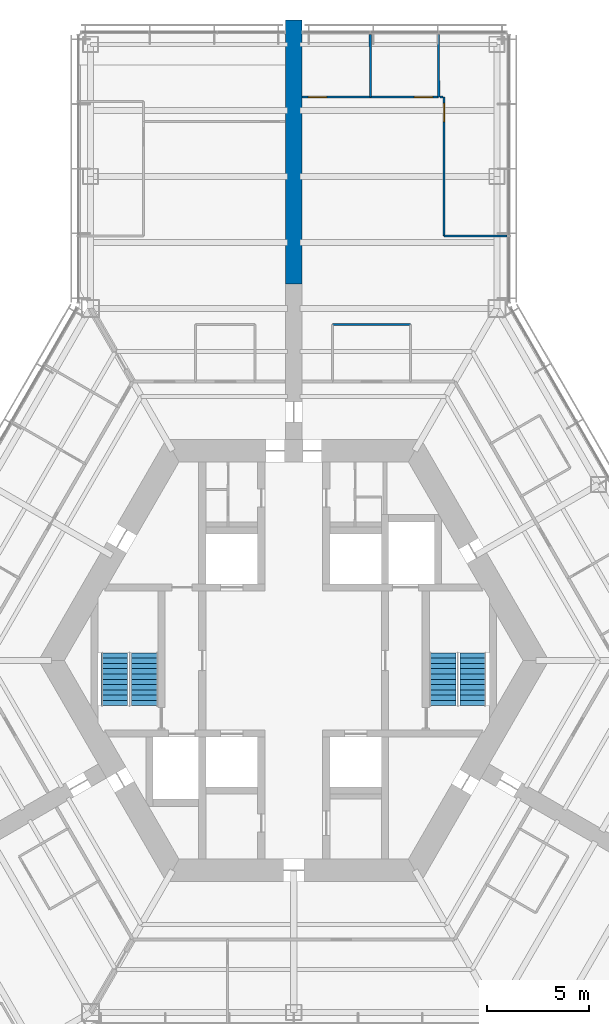
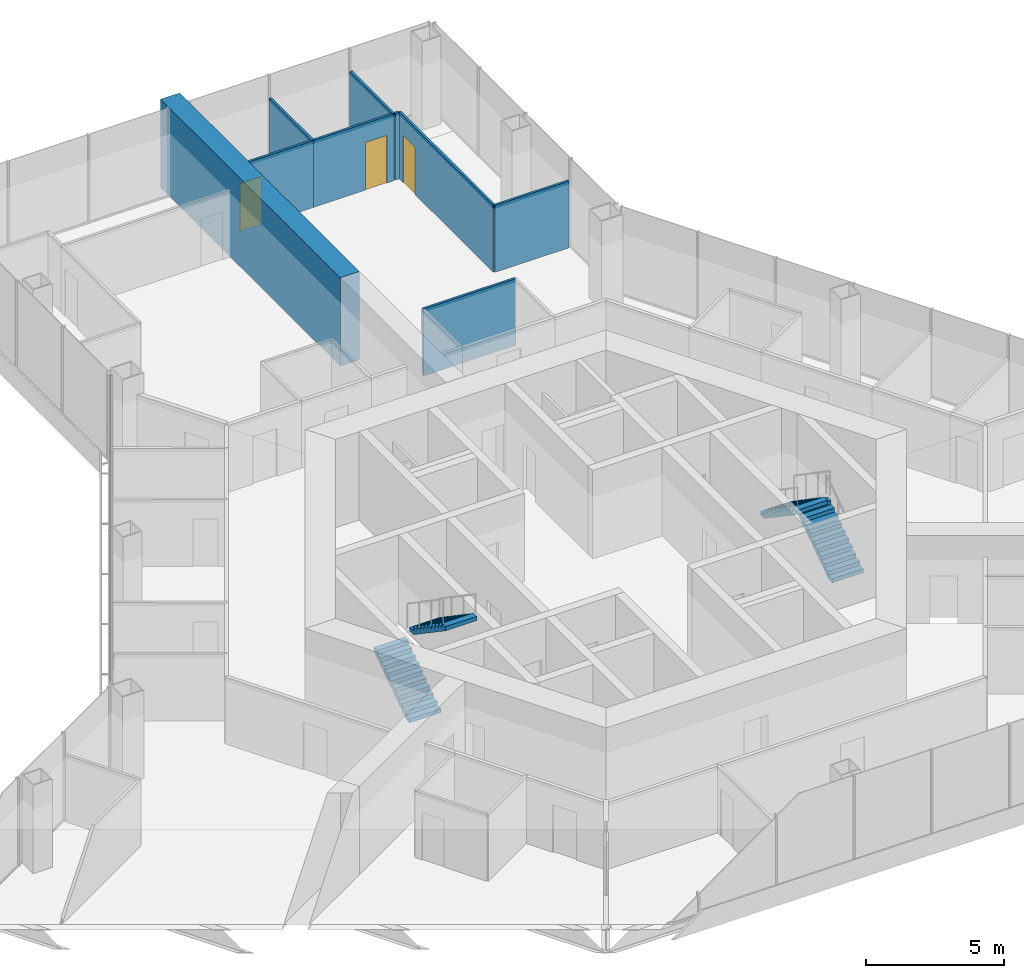
# One storey, part 16 of 19: 9 walls, 4 stair flights, 3 doors, 3 openings, 2 elements without a shape of their own.
"""IFC4 building model written with IfcOpenShell, lengths in metres."""

from ifc_helpers import new_model, si_unit, direction, frame, frame_2d, origin, place, context, subcontext, project, spatial, polyline, rectangle, outline, extrude, material, layer, layer_set, type_object, element, fill, aggregate, save


model = new_model("IFC4")

# Units and contexts
model_context = context("Model", 3, precision=1e-05, world=origin(), true_north=direction((0.0, 1.0)))
body_context = subcontext(model_context, "Body", "Model", "MODEL_VIEW")
ifc_project = project(units=[si_unit("LENGTHUNIT", "METRE"), si_unit("AREAUNIT", "SQUARE_METRE"), si_unit("VOLUMEUNIT", "CUBIC_METRE"), si_unit("PLANEANGLEUNIT", "RADIAN"), si_unit("MASSUNIT", "GRAM", prefix="KILO")], contexts=[model_context])

# Site, building, storey
site_placement = place(None, origin())
site = spatial("IfcSite", under=ifc_project, at=site_placement, CompositionType="ELEMENT")
building_placement = place(site_placement, origin())
building = spatial("IfcBuilding", under=site, at=building_placement, Name="Kasaneha Research Tower", CompositionType="ELEMENT")
storey_placement = place(building_placement, frame((0.0, 0.0, 100.199951171875)))
storey = spatial("IfcBuildingStorey", under=building, at=storey_placement, Name="L25", CompositionType="ELEMENT", Elevation=100.199951171875)

# Walls
ifc_material_1 = material(Name="Gypsum board on steel studs, one layer each side", Category="steel")
ifc_layer_1 = layer(ifc_material_1, 0.10009765625)
ifc_layer_set_1 = layer_set([ifc_layer_1], Name="Office partition 100")
wall_type_1 = type_object("IfcWallType", Name="Office partition 100", PredefinedType="PARTITIONING", material=ifc_layer_set_1)
wall_1_placement = place(storey_placement, frame((1.89990234375, 16.52490234375, 0.0), z_axis=(0.0, 0.0, 1.0), x_axis=(1.0, 0.0, 0.0)))
element("IfcWall", 1, at=wall_1_placement, inside=storey, type_object=wall_type_1, Name="Office partition FAE09 L25", PredefinedType="PARTITIONING", context=body_context, shape_type="SweptSolid", body=[
    extrude(rectangle(XDim=3.857177734375, YDim=0.10009765625, at=frame_2d((1.9287109375, 0.0))), origin(), (0.0, 0.0, 1.0), 2.949951171875),
])
wall_2_placement = place(storey_placement, frame((7.13818359375, 27.719970703125, 0.0), z_axis=(0.0, 0.0, 1.0), x_axis=(-0.001426532072, 0.999998982503, 0.0)))
element("IfcWall", 2, at=wall_2_placement, inside=storey, type_object=wall_type_1, Name="Office partition FAE15 L25", PredefinedType="PARTITIONING", context=body_context, shape_type="SweptSolid", body=[
    extrude(rectangle(XDim=3.08056640625, YDim=0.10009765625, at=frame_2d((1.540283203125, 0.0))), origin(), (0.0, 0.0, 1.0), 2.949951171875),
])

# Wall, opening, door
wall_3_placement = place(storey_placement, frame((7.39990234375, 20.89111328125, 0.0), z_axis=(0.0, 0.0, 1.0), x_axis=(-0.00014301548, 0.999999989773, 0.0)))
wall_3 = element("IfcWall", 3, at=wall_3_placement, inside=storey, type_object=wall_type_1, Name="Office partition FAE16 L25", PredefinedType="PARTITIONING", context=body_context, shape_type="SweptSolid", body=[
    extrude(rectangle(XDim=6.828369140625, YDim=0.10009765625, at=frame_2d((3.4140625, 0.0))), origin(), (0.0, 0.0, 1.0), 2.949951171875),
])
opening_1_placement = place(wall_3_placement, frame((5.62841796875, 0.0, 0.0)))
opening_1 = element("IfcOpeningElement", 4, at=opening_1_placement, cuts=wall_3, Name="Opening L25-D31", PredefinedType="OPENING", context=body_context, shape_type="SweptSolid", body=[
    extrude(rectangle(XDim=0.89990234375, YDim=2.10009765625, at=frame_2d((0.449951171875, 1.050048828125))), frame((0.0, 0.06005859375, 0.0), z_axis=(0.0, -1.0, 0.0), x_axis=(1.0, 0.0, 0.0)), (0.0, 0.0, 1.0), 0.1201171875),
])
ifc_material_2 = material(Name="Timber veneer", Category="wood")
door_type = type_object("IfcDoorType", Name="Office door 900x2100", OperationType="SINGLE_SWING_LEFT", PredefinedType="DOOR", material=ifc_material_2)
door_1_placement = place(opening_1_placement, origin())
door_1 = element("IfcDoor", 5, at=door_1_placement, inside=storey, type_object=door_type, Name="Manager's office door L25-D31", OperationType="SINGLE_SWING_RIGHT", OverallHeight=2.10009765625, OverallWidth=0.89990234375, PredefinedType="DOOR", context=body_context, shape_type="SweptSolid", body=[
    extrude(rectangle(XDim=0.89990234375, YDim=2.10009765625, at=frame_2d((0.449951171875, 1.050048828125))), frame((0.0, 0.02490234375, 0.0), z_axis=(0.0, -1.0, 0.0), x_axis=(1.0, 0.0, 0.0)), (0.0, 0.0, 1.0), 0.050048828125),
])
fill(opening_1, door_1)

# Walls
wall_4_placement = place(storey_placement, frame((10.5, 20.89111328125, 0.0), z_axis=(0.0, 0.0, 1.0), x_axis=(-1.0, 0.0, 0.0)))
element("IfcWall", 6, at=wall_4_placement, inside=storey, type_object=wall_type_1, Name="Office partition FAE17 L25", PredefinedType="PARTITIONING", context=body_context, shape_type="SweptSolid", body=[
    extrude(rectangle(XDim=3.10009765625, YDim=0.10009765625, at=frame_2d((1.550048828125, 0.0))), origin(), (0.0, 0.0, 1.0), 2.949951171875),
])
wall_5_placement = place(storey_placement, frame((3.771728515625, 27.720458984375, 0.0), z_axis=(0.0, 0.0, 1.0), x_axis=(-0.001664550643, 0.999998614635, 0.0)))
element("IfcWall", 7, at=wall_5_placement, inside=storey, type_object=wall_type_1, Name="Office partition FAE18 L25", PredefinedType="PARTITIONING", context=body_context, shape_type="SweptSolid", body=[
    extrude(rectangle(XDim=3.080078125, YDim=0.10009765625, at=frame_2d((1.5400390625, 0.0))), origin(), (0.0, 0.0, 1.0), 2.949951171875),
])

# Wall, opening, door
wall_6_placement = place(storey_placement, frame((7.13330078125, 27.724609375, 0.0), z_axis=(0.0, 0.0, 1.0), x_axis=(-0.999999997371, 7.2516316e-05, 0.0)))
wall_6 = element("IfcWall", 8, at=wall_6_placement, inside=storey, type_object=wall_type_1, Name="Office partition FAE19 L25", PredefinedType="PARTITIONING", context=body_context, shape_type="SweptSolid", body=[
    extrude(rectangle(XDim=3.36669921875, YDim=0.10009765625, at=frame_2d((1.683349609375, 0.0))), origin(), (0.0, 0.0, 1.0), 2.949951171875),
])
opening_2_placement = place(wall_6_placement, frame((0.300048828125, 0.0, 0.0)))
opening_2 = element("IfcOpeningElement", 9, at=opening_2_placement, cuts=wall_6, Name="Opening L25-D32", PredefinedType="OPENING", context=body_context, shape_type="SweptSolid", body=[
    extrude(rectangle(XDim=0.89990234375, YDim=2.10009765625, at=frame_2d((0.449951171875, 1.050048828125))), frame((0.0, 0.06005859375, 0.0), z_axis=(0.0, -1.0, 0.0), x_axis=(1.0, 0.0, 0.0)), (0.0, 0.0, 1.0), 0.1201171875),
])
door_2_placement = place(opening_2_placement, origin())
door_2 = element("IfcDoor", 10, at=door_2_placement, inside=storey, type_object=door_type, Name="Manager's office door L25-D32", OperationType="SINGLE_SWING_LEFT", OverallHeight=2.10009765625, OverallWidth=0.89990234375, PredefinedType="DOOR", context=body_context, shape_type="SweptSolid", body=[
    extrude(rectangle(XDim=0.89990234375, YDim=2.10009765625, at=frame_2d((0.449951171875, 1.050048828125))), frame((0.0, 0.02490234375, 0.0), z_axis=(0.0, -1.0, 0.0), x_axis=(1.0, 0.0, 0.0)), (0.0, 0.0, 1.0), 0.050048828125),
])
fill(opening_2, door_2)

wall_7_placement = place(storey_placement, frame((3.7666015625, 27.724853515625, 0.0), z_axis=(0.0, 0.0, 1.0), x_axis=(-0.999999137883, -0.001313100706, 0.0)))
wall_7 = element("IfcWall", 11, at=wall_7_placement, inside=storey, type_object=wall_type_1, Name="Office partition FAE20 L25", PredefinedType="PARTITIONING", context=body_context, shape_type="SweptSolid", body=[
    extrude(rectangle(XDim=3.3466796875, YDim=0.10009765625, at=frame_2d((1.67333984375, 0.0))), origin(), (0.0, 0.0, 1.0), 2.949951171875),
])
opening_3_placement = place(wall_7_placement, frame((2.146728515625, 0.0, 0.0)))
opening_3 = element("IfcOpeningElement", 12, at=opening_3_placement, cuts=wall_7, Name="Opening L25-D33", PredefinedType="OPENING", context=body_context, shape_type="SweptSolid", body=[
    extrude(rectangle(XDim=0.89990234375, YDim=2.10009765625, at=frame_2d((0.449951171875, 1.050048828125))), frame((0.0, 0.06005859375, 0.0), z_axis=(0.0, -1.0, 0.0), x_axis=(1.0, 0.0, 0.0)), (0.0, 0.0, 1.0), 0.1201171875),
])
door_3_placement = place(opening_3_placement, origin())
door_3 = element("IfcDoor", 13, at=door_3_placement, inside=storey, type_object=door_type, Name="Manager's office door L25-D33", OperationType="SINGLE_SWING_RIGHT", OverallHeight=2.10009765625, OverallWidth=0.89990234375, PredefinedType="DOOR", context=body_context, shape_type="SweptSolid", body=[
    extrude(rectangle(XDim=0.89990234375, YDim=2.10009765625, at=frame_2d((0.449951171875, 1.050048828125))), frame((0.0, 0.02490234375, 0.0), z_axis=(0.0, -1.0, 0.0), x_axis=(1.0, 0.0, 0.0)), (0.0, 0.0, 1.0), 0.050048828125),
])
fill(opening_3, door_3)

# Walls
wall_8_placement = place(storey_placement, frame((7.34912109375, 27.7197265625, 0.0), z_axis=(0.0, 0.0, 1.0), x_axis=(-0.999998848674, 0.001517448936, 0.0)))
element("IfcWall", 14, at=wall_8_placement, inside=storey, type_object=wall_type_1, Name="Office partition closer PT5 L25", PredefinedType="PARTITIONING", context=body_context, shape_type="SweptSolid", body=[
    extrude(rectangle(XDim=0.160888671875, YDim=0.10009765625, at=frame_2d((0.08056640625, 0.0))), origin(), (0.0, 0.0, 1.0), 2.949951171875),
])
ifc_material_3 = material(Name="Concrete Fc80", Category="concrete")
ifc_layer_2 = layer(ifc_material_3, 0.800048828125)
ifc_layer_set_2 = layer_set([ifc_layer_2], Name="Spine wall 800 Fc80")
wall_type_2 = type_object("IfcWallType", Name="Spine wall 800 Fc80", PredefinedType="SHEAR", material=ifc_layer_set_2)
wall_9_placement = place(storey_placement, frame((0.0, 18.5205078125, 0.0), z_axis=(0.0, 0.0, 1.0), x_axis=(0.0, 1.0, 0.0)))
element("IfcWall", 15, at=wall_9_placement, inside=storey, type_object=wall_type_2, Name="Spine wall A wing L25", PredefinedType="SHEAR", context=body_context, shape_type="SweptSolid", body=[
    extrude(rectangle(XDim=13.0, YDim=0.800048828125, at=frame_2d((6.5, 0.0))), origin(), (0.0, 0.0, 1.0), 3.900146484375),
])

# Stair, stair flights
ifc_material_4 = material(Name="Concrete Fc24", Category="concrete")
stair_type = type_object("IfcStairType", Name="Half-turn stair 22 risers", PredefinedType="HALF_TURN_STAIR", material=ifc_material_4)
stair_1_placement = place(storey_placement, origin())
stair_1 = element("IfcStair", 16, at=stair_1_placement, inside=storey, type_object=stair_type, Name="Stair 1 L25", PredefinedType="HALF_TURN_STAIR")
ifc_material_5 = material(Name="Concrete Fc24", Category="concrete")
stair_flight_type = type_object("IfcStairFlightType", Name="Stair flight 11 risers 177.3", PredefinedType="STRAIGHT", material=ifc_material_5)
stair_flight_1_placement = place(storey_placement, frame((8.824951171875, -2.22509765625, 0.0), z_axis=(0.0, 0.0, 1.0), x_axis=(0.0, 1.0, 0.0)))
stair_flight_1 = element("IfcStairFlight", 17, at=stair_flight_1_placement, type_object=stair_flight_type, Name="ST1-22R flight 1", NumberOfRisers=11, NumberOfTreads=10, PredefinedType="STRAIGHT", RiserHeight=0.177272727, TreadLength=0.26, context=body_context, shape_type="SweptSolid", body=[
    extrude(outline(polyline([(0.0, 0.0), (0.0, 0.17724609375), (0.260009765625, 0.17724609375), (0.260009765625, 0.3544921875), (0.52001953125, 0.3544921875), (0.52001953125, 0.53173828125), (0.780029296875, 0.53173828125), (0.780029296875, 0.708984375), (1.0400390625, 0.708984375), (1.0400390625, 0.886474609375), (1.300048828125, 0.886474609375), (1.300048828125, 1.063720703125), (1.56005859375, 1.063720703125), (1.56005859375, 1.240966796875), (1.820068359375, 1.240966796875), (1.820068359375, 1.418212890625), (2.080078125, 1.418212890625), (2.080078125, 1.595458984375), (2.340087890625, 1.595458984375), (2.340087890625, 1.772705078125), (2.60009765625, 1.772705078125), (2.60009765625, 1.949951171875), (2.60009765625, 1.59130859375), (0.26611328125, 0.0), (0.0, 0.0)])), frame((0.0, 0.64990234375, 0.0), z_axis=(0.0, -1.0, 0.0), x_axis=(1.0, 0.0, 0.0)), (0.0, 0.0, 1.0), 1.300048828125),
])
stair_flight_2_placement = place(storey_placement, frame((7.324951171875, 0.375, 1.949951171875), z_axis=(0.0, 0.0, 1.0), x_axis=(0.0, -1.0, 0.0)))
stair_flight_2 = element("IfcStairFlight", 18, at=stair_flight_2_placement, type_object=stair_flight_type, Name="ST1-22R flight 2", NumberOfRisers=11, NumberOfTreads=10, PredefinedType="STRAIGHT", RiserHeight=0.177272727, TreadLength=0.26, context=body_context, shape_type="SweptSolid", body=[
    extrude(outline(polyline([(0.0, 0.0), (0.0, 0.17724609375), (0.260009765625, 0.17724609375), (0.260009765625, 0.3544921875), (0.52001953125, 0.3544921875), (0.52001953125, 0.53173828125), (0.780029296875, 0.53173828125), (0.780029296875, 0.708984375), (1.0400390625, 0.708984375), (1.0400390625, 0.886474609375), (1.300048828125, 0.886474609375), (1.300048828125, 1.063720703125), (1.56005859375, 1.063720703125), (1.56005859375, 1.240966796875), (1.820068359375, 1.240966796875), (1.820068359375, 1.418212890625), (2.080078125, 1.418212890625), (2.080078125, 1.595458984375), (2.340087890625, 1.595458984375), (2.340087890625, 1.772705078125), (2.60009765625, 1.772705078125), (2.60009765625, 1.949951171875), (2.60009765625, 1.59130859375), (0.26611328125, 0.0), (0.0, 0.0)])), frame((0.0, 0.64990234375, 0.0), z_axis=(0.0, -1.0, 0.0), x_axis=(1.0, 0.0, 0.0)), (0.0, 0.0, 1.0), 1.300048828125),
])
aggregate(stair_1, [stair_flight_1, stair_flight_2])

stair_2_placement = place(storey_placement, origin())
stair_2 = element("IfcStair", 19, at=stair_2_placement, inside=storey, type_object=stair_type, Name="Stair 2 L25", PredefinedType="HALF_TURN_STAIR")
stair_flight_3_placement = place(storey_placement, frame((-8.824951171875, -2.22509765625, 0.0), z_axis=(0.0, 0.0, 1.0), x_axis=(0.0, 1.0, 0.0)))
stair_flight_3 = element("IfcStairFlight", 20, at=stair_flight_3_placement, type_object=stair_flight_type, Name="ST2-22R flight 1", NumberOfRisers=11, NumberOfTreads=10, PredefinedType="STRAIGHT", RiserHeight=0.177272727, TreadLength=0.26, context=body_context, shape_type="SweptSolid", body=[
    extrude(outline(polyline([(0.0, 0.0), (0.0, 0.17724609375), (0.260009765625, 0.17724609375), (0.260009765625, 0.3544921875), (0.52001953125, 0.3544921875), (0.52001953125, 0.53173828125), (0.780029296875, 0.53173828125), (0.780029296875, 0.708984375), (1.0400390625, 0.708984375), (1.0400390625, 0.886474609375), (1.300048828125, 0.886474609375), (1.300048828125, 1.063720703125), (1.56005859375, 1.063720703125), (1.56005859375, 1.240966796875), (1.820068359375, 1.240966796875), (1.820068359375, 1.418212890625), (2.080078125, 1.418212890625), (2.080078125, 1.595458984375), (2.340087890625, 1.595458984375), (2.340087890625, 1.772705078125), (2.60009765625, 1.772705078125), (2.60009765625, 1.949951171875), (2.60009765625, 1.59130859375), (0.26611328125, 0.0), (0.0, 0.0)])), frame((0.0, 0.64990234375, 0.0), z_axis=(0.0, -1.0, 0.0), x_axis=(1.0, 0.0, 0.0)), (0.0, 0.0, 1.0), 1.300048828125),
])
stair_flight_4_placement = place(storey_placement, frame((-7.324951171875, 0.375, 1.949951171875), z_axis=(0.0, 0.0, 1.0), x_axis=(0.0, -1.0, 0.0)))
stair_flight_4 = element("IfcStairFlight", 21, at=stair_flight_4_placement, type_object=stair_flight_type, Name="ST2-22R flight 2", NumberOfRisers=11, NumberOfTreads=10, PredefinedType="STRAIGHT", RiserHeight=0.177272727, TreadLength=0.26, context=body_context, shape_type="SweptSolid", body=[
    extrude(outline(polyline([(0.0, 0.0), (0.0, 0.17724609375), (0.260009765625, 0.17724609375), (0.260009765625, 0.3544921875), (0.52001953125, 0.3544921875), (0.52001953125, 0.53173828125), (0.780029296875, 0.53173828125), (0.780029296875, 0.708984375), (1.0400390625, 0.708984375), (1.0400390625, 0.886474609375), (1.300048828125, 0.886474609375), (1.300048828125, 1.063720703125), (1.56005859375, 1.063720703125), (1.56005859375, 1.240966796875), (1.820068359375, 1.240966796875), (1.820068359375, 1.418212890625), (2.080078125, 1.418212890625), (2.080078125, 1.595458984375), (2.340087890625, 1.595458984375), (2.340087890625, 1.772705078125), (2.60009765625, 1.772705078125), (2.60009765625, 1.949951171875), (2.60009765625, 1.59130859375), (0.26611328125, 0.0), (0.0, 0.0)])), frame((0.0, 0.64990234375, 0.0), z_axis=(0.0, -1.0, 0.0), x_axis=(1.0, 0.0, 0.0)), (0.0, 0.0, 1.0), 1.300048828125),
])
aggregate(stair_2, [stair_flight_3, stair_flight_4])

save(model, "model.ifc")
